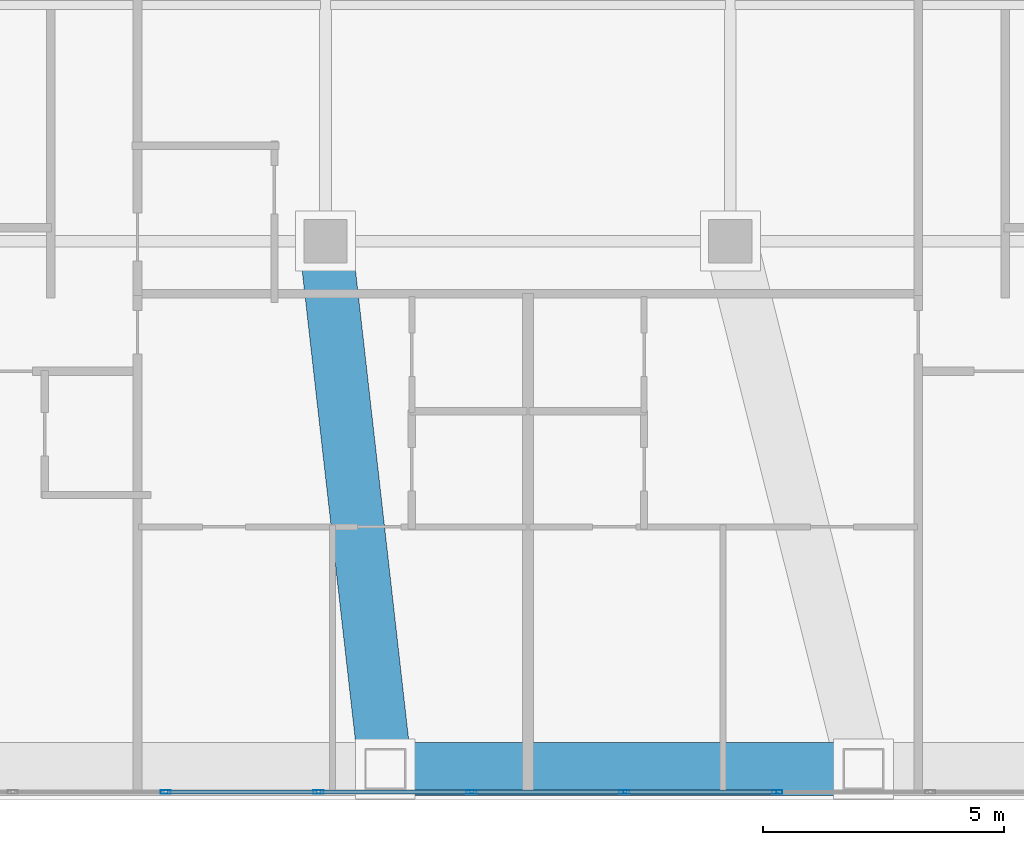
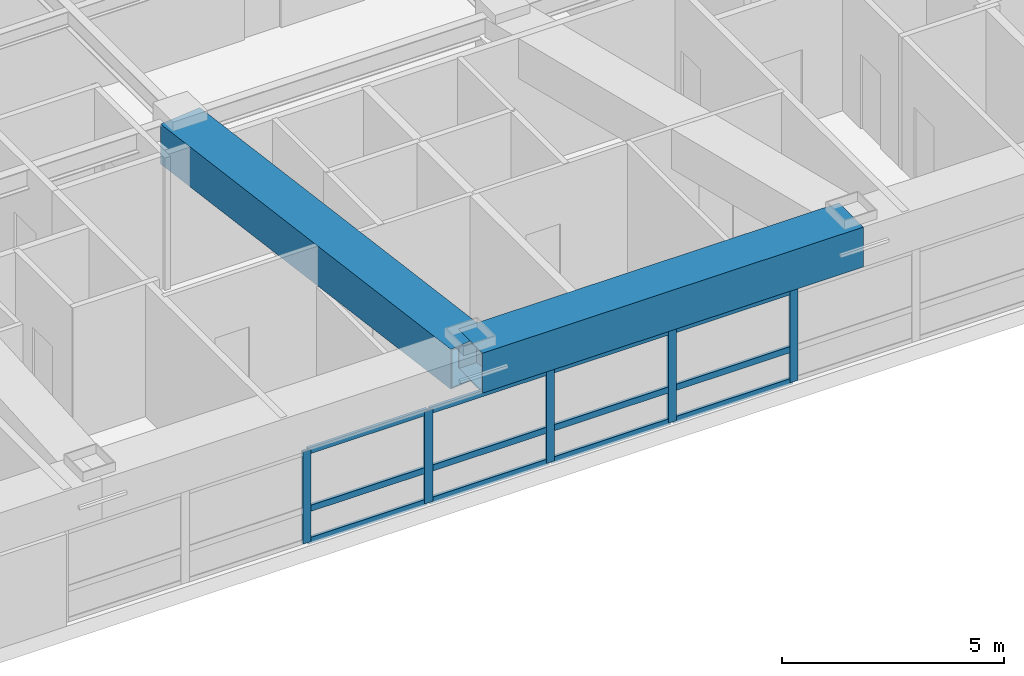
# One storey, part 4 of 16: 17 members, 2 beams, 1 element without a shape of its own.
"""IFC4 building model written with IfcOpenShell, lengths in metres."""

from ifc_helpers import new_model, si_unit, direction, frame, origin, origin_2d, place, context, subcontext, project, spatial, hollow_rectangle, extrude, material, layer, layer_set, material_profile, profile_set, type_object, element, aggregate, save


model = new_model("IFC4")

# Units and contexts
model_context = context("Model", 3, precision=1e-05, world=origin(), true_north=direction((0.0, 1.0)))
body_context = subcontext(model_context, "Body", "Model", "MODEL_VIEW")
ifc_project = project(units=[si_unit("LENGTHUNIT", "METRE"), si_unit("AREAUNIT", "SQUARE_METRE"), si_unit("VOLUMEUNIT", "CUBIC_METRE"), si_unit("PLANEANGLEUNIT", "RADIAN"), si_unit("MASSUNIT", "GRAM", prefix="KILO")], contexts=[model_context])

# Site, building, storey
site_placement = place(None, origin())
site = spatial("IfcSite", under=ifc_project, at=site_placement, CompositionType="ELEMENT")
building_placement = place(site_placement, origin())
building = spatial("IfcBuilding", under=site, at=building_placement, Name="Voryun Gate Residences", CompositionType="ELEMENT")
storey_placement = place(building_placement, frame((0.0, 0.0, 200.199951171875)))
storey = spatial("IfcBuildingStorey", under=building, at=storey_placement, Name="L49", CompositionType="ELEMENT", Elevation=200.199951171875)

# Beams
ifc_material_1 = material(Name="Steel SM420", Category="steel")
ifc_material_profile_1 = material_profile(ifc_material_1, hollow_rectangle(XDim=1.10009765625, YDim=1.10009765625, WallThickness=0.035888671875, at=origin_2d()), Name="BOX-1100x1100x36")
ifc_profile_set_1 = profile_set([ifc_material_profile_1], Name="Steel SM420")
beam_type = type_object("IfcBeamType", Name="BM_ARCH_RIB", PredefinedType="USERDEFINED", material=ifc_profile_set_1)
beam_1_placement = place(storey_placement, frame((-2.9599609375, -18.35009765625, 3.10009765625), z_axis=(1.0, 0.0, 0.0), x_axis=(0.0, 1.0, 0.0)))
element("IfcBeam", 1, at=beam_1_placement, inside=storey, type_object=beam_type, Name="BM-L49-SPAND-03", ObjectType="GIRDER", PredefinedType="USERDEFINED", context=body_context, shape_type="SweptSolid", body=[
    extrude(hollow_rectangle(XDim=1.10009765625, YDim=1.10009765625, WallThickness=0.035888671875, at=origin_2d()), origin(), (0.0, 0.0, 1.0), 9.919921875),
])
beam_2_placement = place(storey_placement, frame((-4.199951171875, -7.39990234375, 3.10009765625), z_axis=(0.112519968476, -0.993649463691, 0.0), x_axis=(0.993649463691, 0.112519968476, 0.0)))
element("IfcBeam", 2, at=beam_2_placement, inside=storey, type_object=beam_type, Name="BM-L49-RAD-S3", ObjectType="GIRDER", PredefinedType="USERDEFINED", context=body_context, shape_type="SweptSolid", body=[
    extrude(hollow_rectangle(XDim=1.10009765625, YDim=1.10009765625, WallThickness=0.035888671875, at=origin_2d()), origin(), (0.0, 0.0, 1.0), 11.020263671875),
])

# Curtain wall, members
ifc_material_2 = material(Name="Anodised aluminium", Category="aluminium")
ifc_layer = layer(ifc_material_2, 0.2099609375, Name="CW_SYS_SKYGARDEN_DARK_GLASS")
ifc_layer_set = layer_set([ifc_layer], Name="Anodised aluminium")
curtain_wall_type = type_object("IfcCurtainWallType", Name="CW_SYS_SKYGARDEN_DARK_GLASS", PredefinedType="NOTDEFINED", material=ifc_layer_set)
curtain_wall_placement = place(storey_placement, origin())
curtain_wall = element("IfcCurtainWall", 3, at=curtain_wall_placement, inside=storey, type_object=curtain_wall_type, Name="Curtain wall CW5-L49-SG-01", PredefinedType="NOTDEFINED")
ifc_material_3 = material(Name="Anodised aluminium", Category="aluminium")
ifc_material_profile_2 = material_profile(ifc_material_3, hollow_rectangle(XDim=0.074951171875, YDim=0.2099609375, WallThickness=0.0048828125, at=origin_2d()), Name="ALU-MULL-210x75x5")
ifc_profile_set_2 = profile_set([ifc_material_profile_2], Name="Anodised aluminium")
member_type_1 = type_object("IfcMemberType", Name="CW_MULL_SKY", PredefinedType="MULLION", material=ifc_profile_set_2)
member_1_placement = place(storey_placement, frame((5.17236328125, -18.830078125, 0.0), z_axis=(0.0, 0.0, 1.0), x_axis=(0.0, -1.0, 0.0)))
member_1 = element("IfcMember", 4, at=member_1_placement, type_object=member_type_1, Name="CW5 mullion 5", PredefinedType="MULLION", context=body_context, shape_type="SweptSolid", body=[
    extrude(hollow_rectangle(XDim=0.074951171875, YDim=0.2099609375, WallThickness=0.0048828125, at=origin_2d()), origin(), (0.0, 0.0, 1.0), 2.5400390625),
])
member_2_placement = place(storey_placement, frame((2.0, -18.830078125, 0.0), z_axis=(0.0, 0.0, 1.0), x_axis=(0.0, -1.0, 0.0)))
member_2 = element("IfcMember", 5, at=member_2_placement, type_object=member_type_1, Name="CW5 mullion 6", PredefinedType="MULLION", context=body_context, shape_type="SweptSolid", body=[
    extrude(hollow_rectangle(XDim=0.074951171875, YDim=0.2099609375, WallThickness=0.0048828125, at=origin_2d()), origin(), (0.0, 0.0, 1.0), 2.5400390625),
])
member_3_placement = place(storey_placement, frame((-1.17236328125, -18.830078125, 0.0), z_axis=(0.0, 0.0, 1.0), x_axis=(0.0, -1.0, 0.0)))
member_3 = element("IfcMember", 6, at=member_3_placement, type_object=member_type_1, Name="CW5 mullion 7", PredefinedType="MULLION", context=body_context, shape_type="SweptSolid", body=[
    extrude(hollow_rectangle(XDim=0.074951171875, YDim=0.2099609375, WallThickness=0.0048828125, at=origin_2d()), origin(), (0.0, 0.0, 1.0), 2.5400390625),
])
member_4_placement = place(storey_placement, frame((-4.344482421875, -18.830078125, 0.0), z_axis=(0.0, 0.0, 1.0), x_axis=(0.0, -1.0, 0.0)))
member_4 = element("IfcMember", 7, at=member_4_placement, type_object=member_type_1, Name="CW5 mullion 8", PredefinedType="MULLION", context=body_context, shape_type="SweptSolid", body=[
    extrude(hollow_rectangle(XDim=0.074951171875, YDim=0.2099609375, WallThickness=0.0048828125, at=origin_2d()), origin(), (0.0, 0.0, 1.0), 2.5400390625),
])
member_5_placement = place(storey_placement, frame((-7.516845703125, -18.830078125, 0.0), z_axis=(0.0, 0.0, 1.0), x_axis=(0.0, -1.0, 0.0)))
member_5 = element("IfcMember", 8, at=member_5_placement, type_object=member_type_1, Name="CW5 mullion 9", PredefinedType="MULLION", context=body_context, shape_type="SweptSolid", body=[
    extrude(hollow_rectangle(XDim=0.074951171875, YDim=0.2099609375, WallThickness=0.0048828125, at=origin_2d()), origin(), (0.0, 0.0, 1.0), 2.5400390625),
])
ifc_material_4 = material(Name="Anodised aluminium", Category="aluminium")
ifc_material_profile_3 = material_profile(ifc_material_4, hollow_rectangle(XDim=0.074951171875, YDim=0.169921875, WallThickness=0.0048828125, at=origin_2d()), Name="ALU-TRAN-170x75x5")
ifc_profile_set_3 = profile_set([ifc_material_profile_3], Name="Anodised aluminium")
member_type_2 = type_object("IfcMemberType", Name="CW_TRAN_SKY", PredefinedType="USERDEFINED", material=ifc_profile_set_3)
member_6_placement = place(storey_placement, frame((5.142333984375, -18.830078125, 0.030029296875), z_axis=(-1.0, 0.0, 0.0), x_axis=(0.0, -1.0, 0.0)))
member_6 = element("IfcMember", 9, at=member_6_placement, type_object=member_type_2, Name="CW5 transom 5.1", ObjectType="TRANSOM", PredefinedType="USERDEFINED", context=body_context, shape_type="SweptSolid", body=[
    extrude(hollow_rectangle(XDim=0.074951171875, YDim=0.169921875, WallThickness=0.0048828125, at=origin_2d()), origin(), (0.0, 0.0, 1.0), 3.1123046875),
])
member_7_placement = place(storey_placement, frame((5.142333984375, -18.830078125, 0.91455078125), z_axis=(-1.0, 0.0, 0.0), x_axis=(0.0, -1.0, 0.0)))
member_7 = element("IfcMember", 10, at=member_7_placement, type_object=member_type_2, Name="CW5 transom 5.2", ObjectType="TRANSOM", PredefinedType="USERDEFINED", context=body_context, shape_type="SweptSolid", body=[
    extrude(hollow_rectangle(XDim=0.074951171875, YDim=0.169921875, WallThickness=0.0048828125, at=origin_2d()), origin(), (0.0, 0.0, 1.0), 3.1123046875),
])
member_8_placement = place(storey_placement, frame((5.142333984375, -18.830078125, 2.510009765625), z_axis=(-1.0, 0.0, 0.0), x_axis=(0.0, -1.0, 0.0)))
member_8 = element("IfcMember", 11, at=member_8_placement, type_object=member_type_2, Name="CW5 transom 5.3", ObjectType="TRANSOM", PredefinedType="USERDEFINED", context=body_context, shape_type="SweptSolid", body=[
    extrude(hollow_rectangle(XDim=0.074951171875, YDim=0.169921875, WallThickness=0.0048828125, at=origin_2d()), origin(), (0.0, 0.0, 1.0), 3.1123046875),
])
member_9_placement = place(storey_placement, frame((1.969970703125, -18.830078125, 0.030029296875), z_axis=(-1.0, 0.0, 0.0), x_axis=(0.0, -1.0, 0.0)))
member_9 = element("IfcMember", 12, at=member_9_placement, type_object=member_type_2, Name="CW5 transom 6.1", ObjectType="TRANSOM", PredefinedType="USERDEFINED", context=body_context, shape_type="SweptSolid", body=[
    extrude(hollow_rectangle(XDim=0.074951171875, YDim=0.169921875, WallThickness=0.0048828125, at=origin_2d()), origin(), (0.0, 0.0, 1.0), 3.1123046875),
])
member_10_placement = place(storey_placement, frame((1.969970703125, -18.830078125, 0.91455078125), z_axis=(-1.0, 0.0, 0.0), x_axis=(0.0, -1.0, 0.0)))
member_10 = element("IfcMember", 13, at=member_10_placement, type_object=member_type_2, Name="CW5 transom 6.2", ObjectType="TRANSOM", PredefinedType="USERDEFINED", context=body_context, shape_type="SweptSolid", body=[
    extrude(hollow_rectangle(XDim=0.074951171875, YDim=0.169921875, WallThickness=0.0048828125, at=origin_2d()), origin(), (0.0, 0.0, 1.0), 3.1123046875),
])
member_11_placement = place(storey_placement, frame((1.969970703125, -18.830078125, 2.510009765625), z_axis=(-1.0, 0.0, 0.0), x_axis=(0.0, -1.0, 0.0)))
member_11 = element("IfcMember", 14, at=member_11_placement, type_object=member_type_2, Name="CW5 transom 6.3", ObjectType="TRANSOM", PredefinedType="USERDEFINED", context=body_context, shape_type="SweptSolid", body=[
    extrude(hollow_rectangle(XDim=0.074951171875, YDim=0.169921875, WallThickness=0.0048828125, at=origin_2d()), origin(), (0.0, 0.0, 1.0), 3.1123046875),
])
member_12_placement = place(storey_placement, frame((-1.2021484375, -18.830078125, 0.030029296875), z_axis=(-1.0, 0.0, 0.0), x_axis=(0.0, -1.0, 0.0)))
member_12 = element("IfcMember", 15, at=member_12_placement, type_object=member_type_2, Name="CW5 transom 7.1", ObjectType="TRANSOM", PredefinedType="USERDEFINED", context=body_context, shape_type="SweptSolid", body=[
    extrude(hollow_rectangle(XDim=0.074951171875, YDim=0.169921875, WallThickness=0.0048828125, at=origin_2d()), origin(), (0.0, 0.0, 1.0), 3.1123046875),
])
member_13_placement = place(storey_placement, frame((-1.2021484375, -18.830078125, 0.91455078125), z_axis=(-1.0, 0.0, 0.0), x_axis=(0.0, -1.0, 0.0)))
member_13 = element("IfcMember", 16, at=member_13_placement, type_object=member_type_2, Name="CW5 transom 7.2", ObjectType="TRANSOM", PredefinedType="USERDEFINED", context=body_context, shape_type="SweptSolid", body=[
    extrude(hollow_rectangle(XDim=0.074951171875, YDim=0.169921875, WallThickness=0.0048828125, at=origin_2d()), origin(), (0.0, 0.0, 1.0), 3.1123046875),
])
member_14_placement = place(storey_placement, frame((-1.2021484375, -18.830078125, 2.510009765625), z_axis=(-1.0, 0.0, 0.0), x_axis=(0.0, -1.0, 0.0)))
member_14 = element("IfcMember", 17, at=member_14_placement, type_object=member_type_2, Name="CW5 transom 7.3", ObjectType="TRANSOM", PredefinedType="USERDEFINED", context=body_context, shape_type="SweptSolid", body=[
    extrude(hollow_rectangle(XDim=0.074951171875, YDim=0.169921875, WallThickness=0.0048828125, at=origin_2d()), origin(), (0.0, 0.0, 1.0), 3.1123046875),
])
member_15_placement = place(storey_placement, frame((-4.37451171875, -18.830078125, 0.030029296875), z_axis=(-1.0, 0.0, 0.0), x_axis=(0.0, -1.0, 0.0)))
member_15 = element("IfcMember", 18, at=member_15_placement, type_object=member_type_2, Name="CW5 transom 8.1", ObjectType="TRANSOM", PredefinedType="USERDEFINED", context=body_context, shape_type="SweptSolid", body=[
    extrude(hollow_rectangle(XDim=0.074951171875, YDim=0.169921875, WallThickness=0.0048828125, at=origin_2d()), origin(), (0.0, 0.0, 1.0), 3.1123046875),
])
member_16_placement = place(storey_placement, frame((-4.37451171875, -18.830078125, 0.91455078125), z_axis=(-1.0, 0.0, 0.0), x_axis=(0.0, -1.0, 0.0)))
member_16 = element("IfcMember", 19, at=member_16_placement, type_object=member_type_2, Name="CW5 transom 8.2", ObjectType="TRANSOM", PredefinedType="USERDEFINED", context=body_context, shape_type="SweptSolid", body=[
    extrude(hollow_rectangle(XDim=0.074951171875, YDim=0.169921875, WallThickness=0.0048828125, at=origin_2d()), origin(), (0.0, 0.0, 1.0), 3.1123046875),
])
member_17_placement = place(storey_placement, frame((-4.37451171875, -18.830078125, 2.510009765625), z_axis=(-1.0, 0.0, 0.0), x_axis=(0.0, -1.0, 0.0)))
member_17 = element("IfcMember", 20, at=member_17_placement, type_object=member_type_2, Name="CW5 transom 8.3", ObjectType="TRANSOM", PredefinedType="USERDEFINED", context=body_context, shape_type="SweptSolid", body=[
    extrude(hollow_rectangle(XDim=0.074951171875, YDim=0.169921875, WallThickness=0.0048828125, at=origin_2d()), origin(), (0.0, 0.0, 1.0), 3.1123046875),
])
aggregate(curtain_wall, [member_1, member_2, member_3, member_4, member_5, member_6, member_7, member_8, member_9, member_10, member_11, member_12, member_13, member_14, member_15, member_16, member_17])

save(model, "model.ifc")
